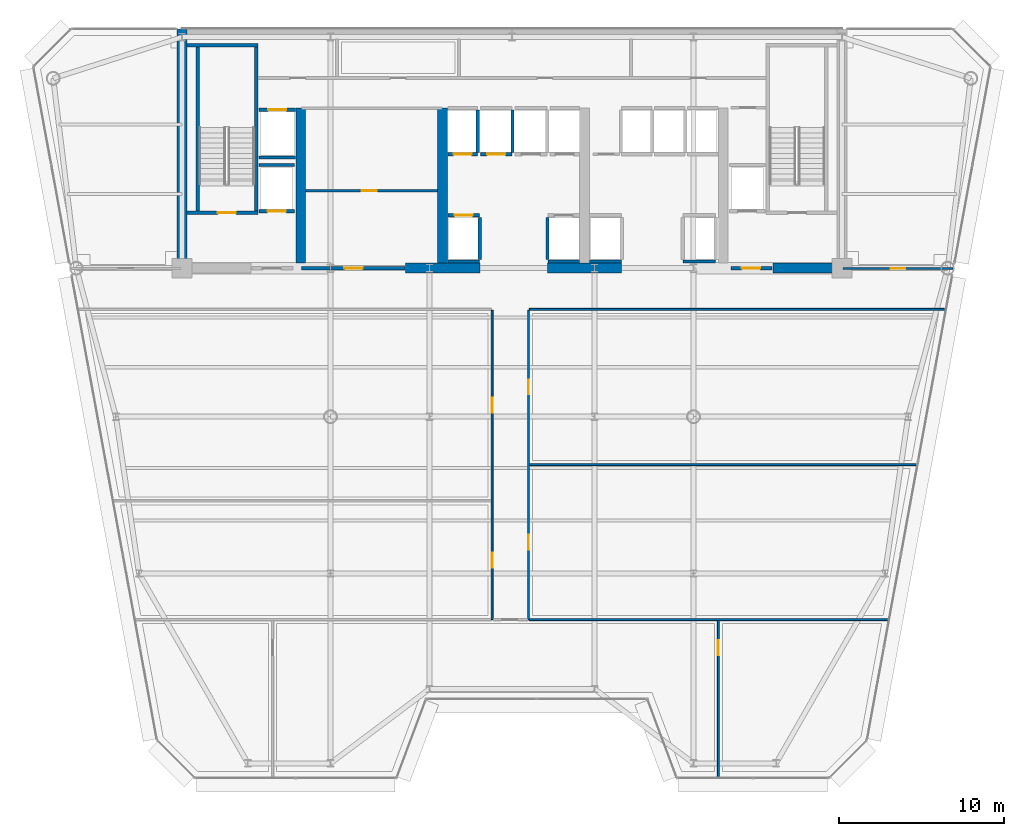
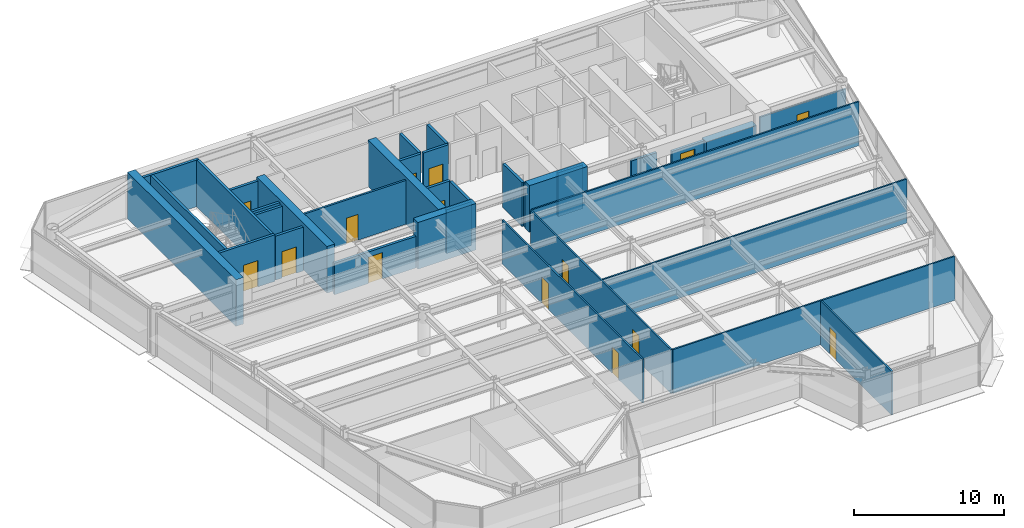
# One storey, part 10 of 16: 35 walls, 15 doors, 15 openings.
"""IFC4 building model written with IfcOpenShell, lengths in metres."""

import ifcopenshell
import ifcopenshell.guid

model = None  # the IFC model being written
_history = None  # IfcOwnerHistory: only IFC2X3 demands one
_inside = {}  # id of a spatial element -> (the spatial element, [elements in it])
_under = {}  # id of a project, library or spatial element -> (it, [spatial elements below it])
_declared = {}  # id of a project -> (the project, [libraries it declares])
_typed = {}  # id of a type object -> (the type object, [elements of that type])
_made_of = {}  # id of a material, layer set ... -> (it, [elements and type objects made of it])


def new_model(schema):
    """Start an empty IFC model of exactly this schema.

    Asked for "IFC4X3", IfcOpenShell would pick the latest addendum, in which some entities
    have other attributes; the version numbers below select the first issue.
    IFC2X3 requires an IfcOwnerHistory on every rooted entity: one is made here for all.
    """
    global model, _history
    if schema == "IFC4X3":
        model = ifcopenshell.file(schema_version=(4, 3, 0, 0))
    else:
        model = ifcopenshell.file(schema=schema)
    _inside.clear()
    _under.clear()
    _declared.clear()
    _typed.clear()
    _made_of.clear()
    _history = None
    if model.schema == "IFC2X3":
        org = make("IfcOrganization", Name="unknown")
        user = make(
            "IfcPersonAndOrganization",
            ThePerson=make("IfcPerson", FamilyName="unknown"),
            TheOrganization=org,
        )
        app = make(
            "IfcApplication",
            ApplicationDeveloper=org,
            Version="unknown",
            ApplicationFullName="unknown",
            ApplicationIdentifier="unknown",
        )
        _history = make(
            "IfcOwnerHistory",
            OwningUser=user,
            OwningApplication=app,
            ChangeAction="ADDED",
            CreationDate=0,
        )
    return model


def make(cls, **values):
    """One entity of the class cls with the attributes given. An attribute that is None is left unset."""
    return model.create_entity(
        cls, **{name: value for name, value in values.items() if value is not None}
    )


def rooted(cls, **values):
    """An entity with a GlobalId (a new one), such as an element, a storey or a relation."""
    return make(cls, GlobalId=ifcopenshell.guid.new(), OwnerHistory=_history, **values)


def si_unit(unit_type, name, prefix=None):
    """IfcSIUnit, for example si_unit("LENGTHUNIT", "METRE", prefix="MILLI")."""
    return make("IfcSIUnit", UnitType=unit_type, Prefix=prefix, Name=name)


def assignment(units):
    """IfcUnitAssignment: the units of a project."""
    return None if units is None else make("IfcUnitAssignment", Units=units)


def point(xyz):
    """IfcCartesianPoint."""
    return None if xyz is None else make("IfcCartesianPoint", Coordinates=xyz)


def direction(xyz):
    """IfcDirection."""
    return None if xyz is None else make("IfcDirection", DirectionRatios=xyz)


def frame(location, z_axis=None, x_axis=None):
    """IfcAxis2Placement3D, a coordinate frame: its origin and axes. An axis left out is left unset."""
    return make(
        "IfcAxis2Placement3D",
        Location=point(location),
        Axis=direction(z_axis),
        RefDirection=direction(x_axis),
    )


def frame_2d(location, x_axis=None):
    """IfcAxis2Placement2D, a coordinate frame in the plane: its origin and x axis."""
    return make(
        "IfcAxis2Placement2D", Location=point(location), RefDirection=direction(x_axis)
    )


def origin():
    """The frame at (0, 0, 0) with its axes left unset."""
    return frame((0.0, 0.0, 0.0))


def place(relative_to, where):
    """IfcLocalPlacement: puts the frame where relative to a parent placement (None: the world)."""
    return make(
        "IfcLocalPlacement", PlacementRelTo=relative_to, RelativePlacement=where
    )


def context(
    kind, dimensions, precision=None, world=None, true_north=None, identifier=None
):
    """IfcGeometricRepresentationContext, for example the 3D "Model" context."""
    return make(
        "IfcGeometricRepresentationContext",
        ContextIdentifier=identifier,
        ContextType=kind,
        CoordinateSpaceDimension=dimensions,
        Precision=precision,
        WorldCoordinateSystem=world,
        TrueNorth=true_north,
    )


def subcontext(parent, identifier, kind, view, scale=None):
    """IfcGeometricRepresentationSubContext, for example "Body" below "Model"."""
    return make(
        "IfcGeometricRepresentationSubContext",
        ContextIdentifier=identifier,
        ContextType=kind,
        ParentContext=parent,
        TargetScale=scale,
        TargetView=view,
    )


def project(units=None, contexts=None):
    """IfcProject with its units and contexts."""
    return rooted(
        "IfcProject",
        Name="project",
        RepresentationContexts=contexts,
        UnitsInContext=assignment(units),
    )


def spatial(cls, under=None, at=None, **own):
    """A site, building, storey or space (cls), placed at a placement, below another one or the project."""
    s = rooted(cls, ObjectPlacement=at, **own)
    if under is not None:
        _under.setdefault(under.id(), (under, []))[1].append(s)
    return s


def profile(cls, at=None, kind="AREA", **sizes):
    """A parametric profile (cls). Its sizes go by their IFC names, for example OverallWidth=200.0."""
    return make(cls, ProfileType=kind, Position=at, **sizes)


def rectangle(**sizes):
    """IfcRectangleProfileDef."""
    return profile("IfcRectangleProfileDef", **sizes)


def extrude(swept, where, along, depth):
    """IfcExtrudedAreaSolid: the profile swept, set in the frame where, extruded along a direction by depth."""
    return make(
        "IfcExtrudedAreaSolid",
        SweptArea=swept,
        Position=where,
        ExtrudedDirection=direction(along),
        Depth=depth,
    )


def shape(context_of_items, identifier, shape_type, items):
    """IfcShapeRepresentation: the items that make up one representation, for example the "Body"."""
    return make(
        "IfcShapeRepresentation",
        ContextOfItems=context_of_items,
        RepresentationIdentifier=identifier,
        RepresentationType=shape_type,
        Items=items,
    )


def source(mapping_origin, context_of_items, identifier, shape_type, items):
    """IfcRepresentationMap: a shape defined once, which mapped items show again and again."""
    return make(
        "IfcRepresentationMap",
        MappingOrigin=mapping_origin,
        MappedRepresentation=shape(context_of_items, identifier, shape_type, items),
    )


def transform(
    local_origin,
    x_axis=None,
    y_axis=None,
    z_axis=None,
    scale=None,
    scale2=None,
    scale3=None,
    uniform=True,
):
    """IfcCartesianTransformationOperator3D, or its non-uniform kind. x_axis, y_axis, z_axis: its Axis1, 2, 3."""
    if uniform:
        return make(
            "IfcCartesianTransformationOperator3D",
            Axis1=direction(x_axis),
            Axis2=direction(y_axis),
            LocalOrigin=point(local_origin),
            Scale=scale,
            Axis3=direction(z_axis),
        )
    return make(
        "IfcCartesianTransformationOperator3DnonUniform",
        Axis1=direction(x_axis),
        Axis2=direction(y_axis),
        LocalOrigin=point(local_origin),
        Scale=scale,
        Axis3=direction(z_axis),
        Scale2=scale2,
        Scale3=scale3,
    )


def mapped(mapping_source, mapping_target):
    """IfcMappedItem: shows the shape of a source again, moved by a transform."""
    return make(
        "IfcMappedItem", MappingSource=mapping_source, MappingTarget=mapping_target
    )


def material(Name=None, Category=None):
    """IfcMaterial."""
    return make("IfcMaterial", Name=Name, Category=Category)


def layer(
    of_material, thickness, ventilated=None, Name=None, Category=None, Priority=None
):
    """IfcMaterialLayer: one layer of a wall or slab, of a material (None: an air gap)."""
    return make(
        "IfcMaterialLayer",
        Material=of_material,
        LayerThickness=thickness,
        IsVentilated=ventilated,
        Name=Name,
        Category=Category,
        Priority=Priority,
    )


def layer_set(layers, Name=None):
    """IfcMaterialLayerSet."""
    return make("IfcMaterialLayerSet", MaterialLayers=layers, LayerSetName=Name)


def made_of(thing, what):
    """Note that an element or type object is made of a material, layer set ...; save() writes the relation."""
    if what is not None:
        _made_of.setdefault(what.id(), (what, []))[1].append(thing)
    return thing


def type_object(cls, material=None, **own):
    """A type object (cls), such as IfcWallType, which elements share."""
    return made_of(rooted(cls, **own), material)


def element(
    cls,
    number,
    at=None,
    inside=None,
    cuts=None,
    type_object=None,
    material=None,
    context=None,
    identifier="Body",
    shape_type=None,
    held_by="IfcProductDefinitionShape",
    body=None,
    shapes=None,
    **own,
):
    """One element of the class cls, such as IfcWall. Its Tag is "e" and its number.

    at: its placement. inside: the storey or other place that contains it. cuts: it is an
    opening in that element (IfcRelVoidsElement). A single representation is given by context,
    identifier, shape_type and body (its items); several are given by shapes. held_by: the class
    of the entity that holds the representations. save() writes the other relations.
    """
    e = rooted(cls, Tag="e%d" % number, ObjectPlacement=at, **own)
    if body is not None:
        shapes = [shape(context, identifier, shape_type, body)]
    if shapes is not None:
        e.Representation = make(held_by, Representations=shapes)
    if inside is not None:
        _inside.setdefault(inside.id(), (inside, []))[1].append(e)
    if cuts is not None:
        rooted(
            "IfcRelVoidsElement", RelatingBuildingElement=cuts, RelatedOpeningElement=e
        )
    if type_object is not None:
        _typed.setdefault(type_object.id(), (type_object, []))[1].append(e)
    return made_of(e, material)


def fill(opening, filler):
    """IfcRelFillsElement: the door or window that sits in an opening."""
    return rooted(
        "IfcRelFillsElement",
        RelatingOpeningElement=opening,
        RelatedBuildingElement=filler,
    )


def aggregate(whole, parts):
    """IfcRelAggregates: a whole, such as a stair, and the parts it consists of."""
    return rooted("IfcRelAggregates", RelatingObject=whole, RelatedObjects=parts)


def save(model, path):
    """Write the relations noted so far, then the file.

    IfcRelAggregates (storeys below a building ...), IfcRelContainedInSpatialStructure (elements
    in a storey), IfcRelDefinesByType, IfcRelAssociatesMaterial and IfcRelDeclares: one each for
    every whole, place, type object, material and project.
    """
    for whole, parts in _under.values():
        aggregate(whole, parts)
    for where, things in _inside.values():
        rooted(
            "IfcRelContainedInSpatialStructure",
            RelatedElements=things,
            RelatingStructure=where,
        )
    for kind, things in _typed.values():
        rooted("IfcRelDefinesByType", RelatedObjects=things, RelatingType=kind)
    for what, things in _made_of.values():
        rooted("IfcRelAssociatesMaterial", RelatedObjects=things, RelatingMaterial=what)
    for by, libraries in _declared.values():
        rooted("IfcRelDeclares", RelatingContext=by, RelatedDefinitions=libraries)
    model.write(path)


model = new_model("IFC4")

# Units and contexts
model_context = context("Model", 3, precision=1e-05, world=origin(), true_north=direction((0.0, 1.0)))
body_context = subcontext(model_context, "Body", "Model", "MODEL_VIEW")
ifc_project = project(units=[si_unit("LENGTHUNIT", "METRE"), si_unit("AREAUNIT", "SQUARE_METRE"), si_unit("VOLUMEUNIT", "CUBIC_METRE"), si_unit("PLANEANGLEUNIT", "RADIAN"), si_unit("MASSUNIT", "GRAM", prefix="KILO")], contexts=[model_context])

# Site, building, storey
site_placement = place(None, origin())
site = spatial("IfcSite", under=ifc_project, at=site_placement, CompositionType="ELEMENT")
building_placement = place(site_placement, origin())
building = spatial("IfcBuilding", under=site, at=building_placement, Name="Vaeldorn Concourse Tower", CompositionType="ELEMENT")
storey_placement = place(building_placement, frame((0.0, 0.0, 191.800048828125)))
storey = spatial("IfcBuildingStorey", under=building, at=storey_placement, Name="L49", CompositionType="ELEMENT", Elevation=191.800048828125)

# Walls
ifc_material_1 = material(Name="Concrete C50/60", Category="concrete")
ifc_layer_1 = layer(ifc_material_1, 0.60009765625)
ifc_layer_set_1 = layer_set([ifc_layer_1], Name="Concrete C50/60")
wall_type_1 = type_object("IfcWallType", Name="WL-CORE-600", PredefinedType="SHEAR", material=ifc_layer_set_1)
wall_1_placement = place(storey_placement, frame((14.0, 36.5, 0.0), z_axis=(0.0, 0.0, 1.0), x_axis=(0.0, 1.0, 0.0)))
element("IfcWall", 1, at=wall_1_placement, inside=storey, type_object=wall_type_1, Name="Rear Core Shear Wall L49 W1", PredefinedType="SHEAR", context=body_context, shape_type="SweptSolid", body=[
    extrude(rectangle(XDim=14.5, YDim=0.60009765625, at=frame_2d((7.25, 0.0))), origin(), (0.0, 0.0, 1.0), 3.800048828125),
])
for number, where, z_axis, x_axis, name in (
    (2, (27.550048828125, 36.5, 0.0), (0.0, 0.0, 1.0), (1.0, 0.0, 0.0), "Rear Core Shear Wall L49 S2"),
    (3, (36.14990234375, 36.5, 0.0), (0.0, 0.0, 1.0), (1.0, 0.0, 0.0), "Rear Core Shear Wall L49 S3"),
):
    element("IfcWall", number, at=place(storey_placement, frame(where, z_axis=z_axis, x_axis=x_axis)), inside=storey, type_object=wall_type_1, Name=name, PredefinedType="SHEAR", context=body_context, shape_type="SweptSolid", body=[
        extrude(rectangle(XDim=4.5, YDim=0.60009765625, at=frame_2d((2.25, 0.0))), origin(), (0.0, 0.0, 1.0), 3.800048828125),
    ])
wall_2_placement = place(storey_placement, frame((49.800048828125, 36.5, 0.0), z_axis=(0.0, 0.0, 1.0), x_axis=(1.0, 0.0, 0.0)))
element("IfcWall", 4, at=wall_2_placement, inside=storey, type_object=wall_type_1, Name="Rear Core Shear Wall L49 S4", PredefinedType="SHEAR", context=body_context, shape_type="SweptSolid", body=[
    extrude(rectangle(XDim=3.8798828125, YDim=0.60009765625, at=frame_2d((1.93994140625, 0.0))), origin(), (0.0, 0.0, 1.0), 2.579833984375),
])
for number, where, z_axis, x_axis, name in (
    (5, (21.199951171875, 36.820068359375, 0.0), (0.0, 0.0, 1.0), (0.0, 1.0, 0.0), "Rear Core Shear Wall L49 M1"),
    (6, (29.800048828125, 36.820068359375, 0.0), (0.0, 0.0, 1.0), (0.0, 1.0, 0.0), "Rear Core Shear Wall L49 M2"),
):
    element("IfcWall", number, at=place(storey_placement, frame(where, z_axis=z_axis, x_axis=x_axis)), inside=storey, type_object=wall_type_1, Name=name, PredefinedType="SHEAR", context=body_context, shape_type="SweptSolid", body=[
        extrude(rectangle(XDim=9.3798828125, YDim=0.60009765625, at=frame_2d((4.68994140625, 0.0))), origin(), (0.0, 0.0, 1.0), 3.800048828125),
    ])
ifc_material_2 = material(Name="Gypsum Board Partition", Category="gypsum")
ifc_layer_2 = layer(ifc_material_2, 0.1201171875)
ifc_layer_set_2 = layer_set([ifc_layer_2], Name="Gypsum Board Partition")
wall_type_2 = type_object("IfcWallType", Name="WL-PART-120", PredefinedType="PARTITIONING", material=ifc_layer_set_2)
wall_3_placement = place(storey_placement, frame((35.06005859375, 34.0, 0.0), z_axis=(0.0, 0.0, 1.0), x_axis=(1.0, 0.0, 0.0)))
element("IfcWall", 7, at=wall_3_placement, inside=storey, type_object=wall_type_2, Name="Interior Wall PW-L49-C2SE", PredefinedType="PARTITIONING", context=body_context, shape_type="SweptSolid", body=[
    extrude(rectangle(XDim=25.200927734375, YDim=0.1201171875, at=frame_2d((12.6005859375, 0.0))), origin(), (0.0, 0.0, 1.0), 3.579833984375),
])

# Wall, openings, doors
wall_4_placement = place(storey_placement, frame((32.800048828125, 15.199951171875, 0.0), z_axis=(0.0, 0.0, 1.0), x_axis=(0.0, 1.0, 0.0)))
wall_4 = element("IfcWall", 8, at=wall_4_placement, inside=storey, type_object=wall_type_2, Name="Interior Wall PW-L49-SP2W", PredefinedType="PARTITIONING", context=body_context, shape_type="SweptSolid", body=[
    extrude(rectangle(XDim=18.739990234375, YDim=0.1201171875, at=frame_2d((9.3701171875, 0.0))), origin(), (0.0, 0.0, 1.0), 3.579833984375),
])
opening_1_placement = place(wall_4_placement, frame((3.14990234375, 0.0, 0.0)))
opening_1 = element("IfcOpeningElement", 9, at=opening_1_placement, cuts=wall_4, Name="Opening D-03", PredefinedType="OPENING", context=body_context, shape_type="SweptSolid", body=[
    extrude(rectangle(XDim=0.89990234375, YDim=2.14990234375, at=frame_2d((0.449951171875, 1.074951171875))), frame((0.0, 0.070068359375, 0.0), z_axis=(0.0, -1.0, 0.0), x_axis=(1.0, 0.0, 0.0)), (0.0, 0.0, 1.0), 0.14013671875),
])
opening_2_placement = place(wall_4_placement, frame((12.550048828125, 0.0, 0.0)))
opening_2 = element("IfcOpeningElement", 10, at=opening_2_placement, cuts=wall_4, Name="Opening D-03", PredefinedType="OPENING", context=body_context, shape_type="SweptSolid", body=[
    extrude(rectangle(XDim=0.89990234375, YDim=2.14990234375, at=frame_2d((0.449951171875, 1.074951171875))), frame((0.0, 0.070068359375, 0.0), z_axis=(0.0, -1.0, 0.0), x_axis=(1.0, 0.0, 0.0)), (0.0, 0.0, 1.0), 0.14013671875),
])
ifc_material_3 = material(Name="Acoustic Bronze-Framed Glass Door", Category="glass")
door_type_1 = type_object("IfcDoorType", Name="DR-INT-900", OperationType="NOTDEFINED", PredefinedType="DOOR", material=ifc_material_3)
shared_shape_1 = source(origin(), body_context, "Body", "SweptSolid", [
    extrude(rectangle(XDim=0.89990234375, YDim=2.14990234375, at=frame_2d((0.449951171875, 1.074951171875))), frame((0.0, 0.02490234375, 0.0), z_axis=(0.0, -1.0, 0.0), x_axis=(1.0, 0.0, 0.0)), (0.0, 0.0, 1.0), 0.050048828125),
])
door_1_placement = place(opening_1_placement, origin())
door_1 = element("IfcDoor", 11, at=door_1_placement, inside=storey, type_object=door_type_1, Name="Interior Door DR-L49-Z2W1", OperationType="SINGLE_SWING_LEFT", OverallHeight=2.14990234375, OverallWidth=0.89990234375, PredefinedType="DOOR", context=body_context, shape_type="MappedRepresentation", body=[
    mapped(shared_shape_1, transform((0.0, 0.0, 0.0), scale=1.0)),
])
fill(opening_1, door_1)
door_2_placement = place(opening_2_placement, origin())
door_2 = element("IfcDoor", 12, at=door_2_placement, inside=storey, type_object=door_type_1, Name="Interior Door DR-L49-Z2W2", OperationType="SINGLE_SWING_RIGHT", OverallHeight=2.14990234375, OverallWidth=0.89990234375, PredefinedType="DOOR", context=body_context, shape_type="MappedRepresentation", body=[
    mapped(shared_shape_1, transform((0.0, 0.0, 0.0), scale=1.0)),
])
fill(opening_2, door_2)

wall_5_placement = place(storey_placement, frame((35.0, 15.199951171875, 0.0), z_axis=(0.0, 0.0, 1.0), x_axis=(0.0, 1.0, 0.0)))
wall_5 = element("IfcWall", 13, at=wall_5_placement, inside=storey, type_object=wall_type_2, Name="Interior Wall PW-L49-SP2E", PredefinedType="PARTITIONING", context=body_context, shape_type="SweptSolid", body=[
    extrude(rectangle(XDim=18.739990234375, YDim=0.1201171875, at=frame_2d((9.3701171875, 0.0))), origin(), (0.0, 0.0, 1.0), 3.579833984375),
])
opening_3_placement = place(wall_5_placement, frame((4.25, 0.0, 0.0)))
opening_3 = element("IfcOpeningElement", 14, at=opening_3_placement, cuts=wall_5, Name="Opening D-03", PredefinedType="OPENING", context=body_context, shape_type="SweptSolid", body=[
    extrude(rectangle(XDim=0.89990234375, YDim=2.14990234375, at=frame_2d((0.449951171875, 1.074951171875))), frame((0.0, 0.070068359375, 0.0), z_axis=(0.0, -1.0, 0.0), x_axis=(1.0, 0.0, 0.0)), (0.0, 0.0, 1.0), 0.14013671875),
])
opening_4_placement = place(wall_5_placement, frame((13.64990234375, 0.0, 0.0)))
opening_4 = element("IfcOpeningElement", 15, at=opening_4_placement, cuts=wall_5, Name="Opening D-03", PredefinedType="OPENING", context=body_context, shape_type="SweptSolid", body=[
    extrude(rectangle(XDim=0.89990234375, YDim=2.14990234375, at=frame_2d((0.449951171875, 1.074951171875))), frame((0.0, 0.070068359375, 0.0), z_axis=(0.0, -1.0, 0.0), x_axis=(1.0, 0.0, 0.0)), (0.0, 0.0, 1.0), 0.14013671875),
])
door_3_placement = place(opening_3_placement, origin())
door_3 = element("IfcDoor", 16, at=door_3_placement, inside=storey, type_object=door_type_1, Name="Interior Door DR-L49-Z2E1", OperationType="SINGLE_SWING_RIGHT", OverallHeight=2.14990234375, OverallWidth=0.89990234375, PredefinedType="DOOR", context=body_context, shape_type="MappedRepresentation", body=[
    mapped(shared_shape_1, transform((0.0, 0.0, 0.0), scale=1.0)),
])
fill(opening_3, door_3)
door_4_placement = place(opening_4_placement, origin())
door_4 = element("IfcDoor", 17, at=door_4_placement, inside=storey, type_object=door_type_1, Name="Interior Door DR-L49-Z2E2", OperationType="SINGLE_SWING_LEFT", OverallHeight=2.14990234375, OverallWidth=0.89990234375, PredefinedType="DOOR", context=body_context, shape_type="MappedRepresentation", body=[
    mapped(shared_shape_1, transform((0.0, 0.0, 0.0), scale=1.0)),
])
fill(opening_4, door_4)

# Wall, opening, door
wall_6_placement = place(storey_placement, frame((54.06005859375, 36.47998046875, 0.0), z_axis=(0.0, 0.0, 1.0), x_axis=(1.0, 0.0, 0.0)))
wall_6 = element("IfcWall", 18, at=wall_6_placement, inside=storey, type_object=wall_type_2, Name="Interior Wall PW-L49-NES", PredefinedType="PARTITIONING", context=body_context, shape_type="SweptSolid", body=[
    extrude(rectangle(XDim=6.65087890625, YDim=0.1201171875, at=frame_2d((3.325439453125, 0.0))), origin(), (0.0, 0.0, 1.0), 2.969970703125),
])
opening_5_placement = place(wall_6_placement, frame((2.875, 0.0, 0.0)))
opening_5 = element("IfcOpeningElement", 19, at=opening_5_placement, cuts=wall_6, Name="Opening D-03", PredefinedType="OPENING", context=body_context, shape_type="SweptSolid", body=[
    extrude(rectangle(XDim=0.89990234375, YDim=2.14990234375, at=frame_2d((0.449951171875, 1.074951171875))), frame((0.0, 0.070068359375, 0.0), z_axis=(0.0, -1.0, 0.0), x_axis=(1.0, 0.0, 0.0)), (0.0, 0.0, 1.0), 0.14013671875),
])
door_5_placement = place(opening_5_placement, origin())
door_5 = element("IfcDoor", 20, at=door_5_placement, inside=storey, type_object=door_type_1, Name="Interior Door DR-L49-NEC", OperationType="SINGLE_SWING_RIGHT", OverallHeight=2.14990234375, OverallWidth=0.89990234375, PredefinedType="DOOR", context=body_context, shape_type="MappedRepresentation", body=[
    mapped(shared_shape_1, transform((0.0, 0.0, 0.0), scale=1.0)),
])
fill(opening_5, door_5)

# Wall
wall_7_placement = place(storey_placement, frame((35.06005859375, 15.199951171875, 0.0), z_axis=(0.0, 0.0, 1.0), x_axis=(1.0, 0.0, 0.0)))
element("IfcWall", 21, at=wall_7_placement, inside=storey, type_object=wall_type_2, Name="Interior Wall PW-L49-S2EL", PredefinedType="PARTITIONING", context=body_context, shape_type="SweptSolid", body=[
    extrude(rectangle(XDim=21.749267578125, YDim=0.1201171875, at=frame_2d((10.87451171875, 0.0))), origin(), (0.0, 0.0, 1.0), 3.579833984375),
])

# Wall, opening, door
wall_8_placement = place(storey_placement, frame((46.5, 5.639892578125, 0.0), z_axis=(0.0, 0.0, 1.0), x_axis=(0.0, 1.0, 0.0)))
wall_8 = element("IfcWall", 22, at=wall_8_placement, inside=storey, type_object=wall_type_2, Name="Interior Wall PW-L49-Z2SFX2", PredefinedType="PARTITIONING", context=body_context, shape_type="SweptSolid", body=[
    extrude(rectangle(XDim=9.5, YDim=0.1201171875, at=frame_2d((4.75, 0.0))), origin(), (0.0, 0.0, 1.0), 3.579833984375),
])
opening_6_placement = place(wall_8_placement, frame((7.39990234375, 0.0, 0.0)))
opening_6 = element("IfcOpeningElement", 23, at=opening_6_placement, cuts=wall_8, Name="Opening D-03", PredefinedType="OPENING", context=body_context, shape_type="SweptSolid", body=[
    extrude(rectangle(XDim=0.89990234375, YDim=2.14990234375, at=frame_2d((0.449951171875, 1.074951171875))), frame((0.0, 0.070068359375, 0.0), z_axis=(0.0, -1.0, 0.0), x_axis=(1.0, 0.0, 0.0)), (0.0, 0.0, 1.0), 0.14013671875),
])
door_6_placement = place(opening_6_placement, origin())
door_6 = element("IfcDoor", 24, at=door_6_placement, inside=storey, type_object=door_type_1, Name="Interior Door DR-L49-Z2SFX2", OperationType="SINGLE_SWING_LEFT", OverallHeight=2.14990234375, OverallWidth=0.89990234375, PredefinedType="DOOR", context=body_context, shape_type="MappedRepresentation", body=[
    mapped(shared_shape_1, transform((0.0, 0.0, 0.0), scale=1.0)),
])
fill(opening_6, door_6)

# Wall
wall_9_placement = place(storey_placement, frame((35.06005859375, 24.60009765625, 0.0), z_axis=(0.0, 0.0, 1.0), x_axis=(1.0, 0.0, 0.0)))
element("IfcWall", 25, at=wall_9_placement, inside=storey, type_object=wall_type_2, Name="Interior Wall PW-L49-Z2EY1", PredefinedType="PARTITIONING", context=body_context, shape_type="SweptSolid", body=[
    extrude(rectangle(XDim=23.47509765625, YDim=0.1201171875, at=frame_2d((11.737548828125, 0.0))), origin(), (0.0, 0.0, 1.0), 3.579833984375),
])

# Wall, opening, door
ifc_layer_3 = layer(ifc_material_2, 0.14990234375)
ifc_layer_set_3 = layer_set([ifc_layer_3], Name="Gypsum Board Partition")
wall_type_3 = type_object("IfcWallType", Name="WL-PART-150", PredefinedType="PARTITIONING", material=ifc_layer_set_3)
wall_10_placement = place(storey_placement, frame((21.5, 41.199951171875, 0.0), z_axis=(0.0, 0.0, 1.0), x_axis=(1.0, 0.0, 0.0)))
wall_10 = element("IfcWall", 26, at=wall_10_placement, inside=storey, type_object=wall_type_3, Name="Interior Wall CW-L49-R1M", PredefinedType="PARTITIONING", context=body_context, shape_type="SweptSolid", body=[
    extrude(rectangle(XDim=8.0, YDim=0.14990234375, at=frame_2d((4.0, 0.0))), origin(), (0.0, 0.0, 1.0), 3.579833984375),
])
opening_7_placement = place(wall_10_placement, frame((3.39990234375, 0.0, 0.0)))
opening_7 = element("IfcOpeningElement", 27, at=opening_7_placement, cuts=wall_10, Name="Opening D-02", PredefinedType="OPENING", context=body_context, shape_type="SweptSolid", body=[
    extrude(rectangle(XDim=0.89990234375, YDim=2.10009765625, at=frame_2d((0.449951171875, 1.050048828125))), frame((0.0, 0.0849609375, 0.0), z_axis=(0.0, -1.0, 0.0), x_axis=(1.0, 0.0, 0.0)), (0.0, 0.0, 1.0), 0.169921875),
])
ifc_material_4 = material(Name="Fire-Rated Timber Leaf", Category="wood")
door_type_2 = type_object("IfcDoorType", Name="DR-FD30-900", OperationType="NOTDEFINED", PredefinedType="DOOR", material=ifc_material_4)
shared_shape_2 = source(origin(), body_context, "Body", "SweptSolid", [
    extrude(rectangle(XDim=0.89990234375, YDim=2.10009765625, at=frame_2d((0.449951171875, 1.050048828125))), frame((0.0, 0.02490234375, 0.0), z_axis=(0.0, -1.0, 0.0), x_axis=(1.0, 0.0, 0.0)), (0.0, 0.0, 1.0), 0.050048828125),
])
door_7_placement = place(opening_7_placement, origin())
door_7 = element("IfcDoor", 28, at=door_7_placement, inside=storey, type_object=door_type_2, Name="Interior Door DR-L49-R1M", OperationType="SINGLE_SWING_RIGHT", OverallHeight=2.10009765625, OverallWidth=0.89990234375, PredefinedType="DOOR", context=body_context, shape_type="MappedRepresentation", body=[
    mapped(shared_shape_2, transform((0.0, 0.0, 0.0), scale=1.0)),
])
fill(opening_7, door_7)

ifc_layer_4 = layer(ifc_material_1, 0.199951171875)
ifc_layer_set_4 = layer_set([ifc_layer_4], Name="Concrete C50/60")
wall_type_4 = type_object("IfcWallType", Name="WL-SHAFT-200", PredefinedType="SOLIDWALL", material=ifc_layer_set_4)
wall_11_placement = place(storey_placement, frame((14.300048828125, 39.85009765625, 0.0), z_axis=(0.0, 0.0, 1.0), x_axis=(1.0, 0.0, 0.0)))
wall_11 = element("IfcWall", 29, at=wall_11_placement, inside=storey, type_object=wall_type_4, Name="Stair Shaft Wall CW-L49-ST-1-S", PredefinedType="SOLIDWALL", context=body_context, shape_type="SweptSolid", body=[
    extrude(rectangle(XDim=4.300048828125, YDim=0.199951171875, at=frame_2d((2.14990234375, 0.0))), origin(), (0.0, 0.0, 1.0), 3.800048828125),
])
opening_8_placement = place(wall_11_placement, frame((1.875, 0.0, 0.0)))
opening_8 = element("IfcOpeningElement", 30, at=opening_8_placement, cuts=wall_11, Name="Opening D-01", PredefinedType="OPENING", context=body_context, shape_type="SweptSolid", body=[
    extrude(rectangle(XDim=1.10009765625, YDim=2.14990234375, at=frame_2d((0.550048828125, 1.074951171875))), frame((0.0, 0.10986328125, 0.0), z_axis=(0.0, -1.0, 0.0), x_axis=(1.0, 0.0, 0.0)), (0.0, 0.0, 1.0), 0.219970703125),
])
ifc_material_5 = material(Name="Fire-Rated Timber and Steel Leaf", Category="steel")
door_type_3 = type_object("IfcDoorType", Name="DR-FD60-1100", OperationType="NOTDEFINED", PredefinedType="DOOR", material=ifc_material_5)
shared_shape_3 = source(origin(), body_context, "Body", "SweptSolid", [
    extrude(rectangle(XDim=1.10009765625, YDim=2.14990234375, at=frame_2d((0.550048828125, 1.074951171875))), frame((0.0, 0.02490234375, 0.0), z_axis=(0.0, -1.0, 0.0), x_axis=(1.0, 0.0, 0.0)), (0.0, 0.0, 1.0), 0.050048828125),
])
door_8_placement = place(opening_8_placement, origin())
door_8 = element("IfcDoor", 31, at=door_8_placement, inside=storey, type_object=door_type_3, Name="Interior Door DR-L49-ST-1", OperationType="SINGLE_SWING_LEFT", OverallHeight=2.14990234375, OverallWidth=1.10009765625, PredefinedType="DOOR", context=body_context, shape_type="MappedRepresentation", body=[
    mapped(shared_shape_3, transform((0.0, 0.0, 0.0), scale=1.0)),
])
fill(opening_8, door_8)

# Walls
wall_12_placement = place(storey_placement, frame((14.300048828125, 50.0, 0.0), z_axis=(0.0, 0.0, 1.0), x_axis=(1.0, 0.0, 0.0)))
element("IfcWall", 32, at=wall_12_placement, inside=storey, type_object=wall_type_4, Name="Stair Shaft Wall CW-L49-ST-1-N", PredefinedType="SOLIDWALL", context=body_context, shape_type="SweptSolid", body=[
    extrude(rectangle(XDim=4.300048828125, YDim=0.199951171875, at=frame_2d((2.14990234375, 0.0))), origin(), (0.0, 0.0, 1.0), 3.800048828125),
])
for number, where, z_axis, x_axis, name in (
    (33, (14.949951171875, 39.9599609375, 0.0), (0.0, 0.0, 1.0), (0.0, 1.0, 0.0), "Stair Shaft Wall CW-L49-ST-1-W"),
    (34, (18.5, 39.9599609375, 0.0), (0.0, 0.0, 1.0), (0.0, 1.0, 0.0), "Stair Shaft Wall CW-L49-ST-1-E"),
):
    element("IfcWall", number, at=place(storey_placement, frame(where, z_axis=z_axis, x_axis=x_axis)), inside=storey, type_object=wall_type_4, Name=name, PredefinedType="SOLIDWALL", context=body_context, shape_type="SweptSolid", body=[
        extrude(rectangle(XDim=9.929931640625, YDim=0.199951171875, at=frame_2d((4.96484375, 0.0))), origin(), (0.0, 0.0, 1.0), 3.800048828125),
    ])

# Wall, opening, door
wall_13_placement = place(storey_placement, frame((47.280029296875, 36.5, 0.0), z_axis=(0.0, 0.0, 1.0), x_axis=(1.0, 0.0, 0.0)))
wall_13 = element("IfcWall", 35, at=wall_13_placement, inside=storey, type_object=wall_type_4, Name="Interior Wall CW-L49-FF2S", PredefinedType="SOLIDWALL", context=body_context, shape_type="SweptSolid", body=[
    extrude(rectangle(XDim=2.469970703125, YDim=0.199951171875, at=frame_2d((1.23486328125, 0.0))), origin(), (0.0, 0.0, 1.0), 2.570068359375),
])
opening_9_placement = place(wall_13_placement, frame((0.64990234375, 0.0, 0.0)))
opening_9 = element("IfcOpeningElement", 36, at=opening_9_placement, cuts=wall_13, Name="Opening D-01", PredefinedType="OPENING", context=body_context, shape_type="SweptSolid", body=[
    extrude(rectangle(XDim=1.10009765625, YDim=2.14990234375, at=frame_2d((0.550048828125, 1.074951171875))), frame((0.0, 0.10986328125, 0.0), z_axis=(0.0, -1.0, 0.0), x_axis=(1.0, 0.0, 0.0)), (0.0, 0.0, 1.0), 0.219970703125),
])
door_9_placement = place(opening_9_placement, origin())
door_9 = element("IfcDoor", 37, at=door_9_placement, inside=storey, type_object=door_type_3, Name="Interior Door DR-L49-FF2W", OperationType="SINGLE_SWING_LEFT", OverallHeight=2.14990234375, OverallWidth=1.10009765625, PredefinedType="DOOR", context=body_context, shape_type="MappedRepresentation", body=[
    mapped(shared_shape_3, transform((0.0, 0.0, 0.0), scale=1.0)),
])
fill(opening_9, door_9)

wall_14_placement = place(storey_placement, frame((30.110107421875, 39.699951171875, 0.0), z_axis=(0.0, 0.0, 1.0), x_axis=(1.0, 0.0, 0.0)))
wall_14 = element("IfcWall", 38, at=wall_14_placement, inside=storey, type_object=wall_type_4, Name="Interior Wall CW-L49-LF-LF-07", PredefinedType="SOLIDWALL", context=body_context, shape_type="SweptSolid", body=[
    extrude(rectangle(XDim=1.919921875, YDim=0.199951171875, at=frame_2d((0.9599609375, 0.0))), origin(), (0.0, 0.0, 1.0), 3.579833984375),
])
opening_10_placement = place(wall_14_placement, frame((0.409912109375, 0.0, 0.0)))
opening_10 = element("IfcOpeningElement", 39, at=opening_10_placement, cuts=wall_14, Name="Opening LD-1", PredefinedType="OPENING", context=body_context, shape_type="SweptSolid", body=[
    extrude(rectangle(XDim=1.10009765625, YDim=2.14990234375, at=frame_2d((0.550048828125, 1.074951171875))), frame((0.0, 0.10986328125, 0.0), z_axis=(0.0, -1.0, 0.0), x_axis=(1.0, 0.0, 0.0)), (0.0, 0.0, 1.0), 0.219970703125),
])
ifc_material_6 = material(Name="Anodised Bronze Aluminium", Category="aluminium")
door_type_4 = type_object("IfcDoorType", Name="DR-LIFT-SLIDE-1100", OperationType="DOUBLE_DOOR_SLIDING", PredefinedType="DOOR", material=ifc_material_6)
door_10_placement = place(opening_10_placement, origin())
door_10 = element("IfcDoor", 40, at=door_10_placement, inside=storey, type_object=door_type_4, Name="Lift Landing Door LD-L49-LF-07", OperationType="DOUBLE_DOOR_SLIDING", OverallHeight=2.14990234375, OverallWidth=1.10009765625, PredefinedType="DOOR", context=body_context, shape_type="MappedRepresentation", body=[
    mapped(shared_shape_3, transform((0.0, 0.0, 0.0), scale=1.0)),
])
fill(opening_10, door_10)

# Walls
wall_15_placement = place(storey_placement, frame((30.110107421875, 36.89990234375, 0.0), z_axis=(0.0, 0.0, 1.0), x_axis=(1.0, 0.0, 0.0)))
element("IfcWall", 41, at=wall_15_placement, inside=storey, type_object=wall_type_4, Name="Interior Wall CW-L49-LFB-LF-07", PredefinedType="SOLIDWALL", context=body_context, shape_type="SweptSolid", body=[
    extrude(rectangle(XDim=1.919921875, YDim=0.199951171875, at=frame_2d((0.9599609375, 0.0))), origin(), (0.0, 0.0, 1.0), 3.579833984375),
])
wall_16_placement = place(storey_placement, frame((32.050048828125, 37.02001953125, 0.0), z_axis=(0.0, 0.0, 1.0), x_axis=(0.0, 1.0, 0.0)))
element("IfcWall", 42, at=wall_16_placement, inside=storey, type_object=wall_type_4, Name="Interior Wall CW-L49-LFE-LF-07", PredefinedType="SOLIDWALL", context=body_context, shape_type="SweptSolid", body=[
    extrude(rectangle(XDim=2.56005859375, YDim=0.199951171875, at=frame_2d((1.280029296875, 0.0))), origin(), (0.0, 0.0, 1.0), 3.579833984375),
])
wall_17_placement = place(storey_placement, frame((36.169921875, 36.89990234375, 0.0), z_axis=(0.0, 0.0, 1.0), x_axis=(1.0, 0.0, 0.0)))
element("IfcWall", 43, at=wall_17_placement, inside=storey, type_object=wall_type_4, Name="Interior Wall CW-L49-LFB-LF-08", PredefinedType="SOLIDWALL", context=body_context, shape_type="SweptSolid", body=[
    extrude(rectangle(XDim=1.920166015625, YDim=0.199951171875, at=frame_2d((0.9599609375, 0.0))), origin(), (0.0, 0.0, 1.0), 3.579833984375),
])
wall_18_placement = place(storey_placement, frame((36.14990234375, 37.02001953125, 0.0), z_axis=(0.0, 0.0, 1.0), x_axis=(0.0, 1.0, 0.0)))
element("IfcWall", 44, at=wall_18_placement, inside=storey, type_object=wall_type_4, Name="Interior Wall CW-L49-LFW-LF-08", PredefinedType="SOLIDWALL", context=body_context, shape_type="SweptSolid", body=[
    extrude(rectangle(XDim=2.56005859375, YDim=0.199951171875, at=frame_2d((1.280029296875, 0.0))), origin(), (0.0, 0.0, 1.0), 3.579833984375),
])

# Wall, opening, door
wall_19_placement = place(storey_placement, frame((30.110107421875, 43.39990234375, 0.0), z_axis=(0.0, 0.0, 1.0), x_axis=(1.0, 0.0, 0.0)))
wall_19 = element("IfcWall", 45, at=wall_19_placement, inside=storey, type_object=wall_type_4, Name="Interior Wall CW-L49-LF-LF-09", PredefinedType="SOLIDWALL", context=body_context, shape_type="SweptSolid", body=[
    extrude(rectangle(XDim=1.7998046875, YDim=0.199951171875, at=frame_2d((0.89990234375, 0.0))), origin(), (0.0, 0.0, 1.0), 3.579833984375),
])
opening_11_placement = place(wall_19_placement, frame((0.35009765625, 0.0, 0.0)))
opening_11 = element("IfcOpeningElement", 46, at=opening_11_placement, cuts=wall_19, Name="Opening LD-1", PredefinedType="OPENING", context=body_context, shape_type="SweptSolid", body=[
    extrude(rectangle(XDim=1.10009765625, YDim=2.14990234375, at=frame_2d((0.550048828125, 1.074951171875))), frame((0.0, 0.10986328125, 0.0), z_axis=(0.0, -1.0, 0.0), x_axis=(1.0, 0.0, 0.0)), (0.0, 0.0, 1.0), 0.219970703125),
])
door_11_placement = place(opening_11_placement, origin())
door_11 = element("IfcDoor", 47, at=door_11_placement, inside=storey, type_object=door_type_4, Name="Lift Landing Door LD-L49-LF-09", OperationType="DOUBLE_DOOR_SLIDING", OverallHeight=2.14990234375, OverallWidth=1.10009765625, PredefinedType="DOOR", context=body_context, shape_type="MappedRepresentation", body=[
    mapped(shared_shape_3, transform((0.0, 0.0, 0.0), scale=1.0)),
])
fill(opening_11, door_11)

# Wall
wall_20_placement = place(storey_placement, frame((31.929931640625, 43.52001953125, 0.0), z_axis=(0.0, 0.0, 1.0), x_axis=(0.0, 1.0, 0.0)))
element("IfcWall", 48, at=wall_20_placement, inside=storey, type_object=wall_type_4, Name="Interior Wall CW-L49-LFE-LF-09", PredefinedType="SOLIDWALL", context=body_context, shape_type="SweptSolid", body=[
    extrude(rectangle(XDim=2.56005859375, YDim=0.199951171875, at=frame_2d((1.280029296875, 0.0))), origin(), (0.0, 0.0, 1.0), 3.579833984375),
])

# Wall, opening, door
wall_21_placement = place(storey_placement, frame((32.090087890625, 43.39990234375, 0.0), z_axis=(0.0, 0.0, 1.0), x_axis=(1.0, 0.0, 0.0)))
wall_21 = element("IfcWall", 49, at=wall_21_placement, inside=storey, type_object=wall_type_4, Name="Interior Wall CW-L49-LF-LF-10", PredefinedType="SOLIDWALL", context=body_context, shape_type="SweptSolid", body=[
    extrude(rectangle(XDim=1.919921875, YDim=0.199951171875, at=frame_2d((0.9599609375, 0.0))), origin(), (0.0, 0.0, 1.0), 3.579833984375),
])
opening_12_placement = place(wall_21_placement, frame((0.409912109375, 0.0, 0.0)))
opening_12 = element("IfcOpeningElement", 50, at=opening_12_placement, cuts=wall_21, Name="Opening LD-1", PredefinedType="OPENING", context=body_context, shape_type="SweptSolid", body=[
    extrude(rectangle(XDim=1.10009765625, YDim=2.14990234375, at=frame_2d((0.550048828125, 1.074951171875))), frame((0.0, 0.10986328125, 0.0), z_axis=(0.0, -1.0, 0.0), x_axis=(1.0, 0.0, 0.0)), (0.0, 0.0, 1.0), 0.219970703125),
])
door_12_placement = place(opening_12_placement, origin())
door_12 = element("IfcDoor", 51, at=door_12_placement, inside=storey, type_object=door_type_4, Name="Lift Landing Door LD-L49-LF-10", OperationType="DOUBLE_DOOR_SLIDING", OverallHeight=2.14990234375, OverallWidth=1.10009765625, PredefinedType="DOOR", context=body_context, shape_type="MappedRepresentation", body=[
    mapped(shared_shape_3, transform((0.0, 0.0, 0.0), scale=1.0)),
])
fill(opening_12, door_12)

# Walls
wall_22_placement = place(storey_placement, frame((34.030029296875, 43.52001953125, 0.0), z_axis=(0.0, 0.0, 1.0), x_axis=(0.0, 1.0, 0.0)))
element("IfcWall", 52, at=wall_22_placement, inside=storey, type_object=wall_type_4, Name="Interior Wall CW-L49-LFE-LF-10", PredefinedType="SOLIDWALL", context=body_context, shape_type="SweptSolid", body=[
    extrude(rectangle(XDim=2.56005859375, YDim=0.199951171875, at=frame_2d((1.280029296875, 0.0))), origin(), (0.0, 0.0, 1.0), 3.579833984375),
])
wall_23_placement = place(storey_placement, frame((38.7099609375, 36.89990234375, 0.0), z_axis=(0.0, 0.0, 1.0), x_axis=(1.0, 0.0, 0.0)))
element("IfcWall", 53, at=wall_23_placement, inside=storey, type_object=wall_type_4, Name="Interior Wall CW-L49-LFB-LF-13", PredefinedType="SOLIDWALL", context=body_context, shape_type="SweptSolid", body=[
    extrude(rectangle(XDim=1.919921875, YDim=0.199951171875, at=frame_2d((0.9599609375, 0.0))), origin(), (0.0, 0.0, 1.0), 3.579833984375),
])
wall_24_placement = place(storey_placement, frame((44.3701171875, 36.89990234375, 0.0), z_axis=(0.0, 0.0, 1.0), x_axis=(1.0, 0.0, 0.0)))
element("IfcWall", 54, at=wall_24_placement, inside=storey, type_object=wall_type_4, Name="Interior Wall CW-L49-LFB-LF-14", PredefinedType="SOLIDWALL", context=body_context, shape_type="SweptSolid", body=[
    extrude(rectangle(XDim=1.9599609375, YDim=0.199951171875, at=frame_2d((0.97998046875, 0.0))), origin(), (0.0, 0.0, 1.0), 2.570068359375),
])

# Wall, opening, door
wall_25_placement = place(storey_placement, frame((18.669921875, 46.10009765625, 0.0), z_axis=(0.0, 0.0, 1.0), x_axis=(1.0, 0.0, 0.0)))
wall_25 = element("IfcWall", 55, at=wall_25_placement, inside=storey, type_object=wall_type_4, Name="Interior Wall CW-L49-LF-LF-SV1", PredefinedType="SOLIDWALL", context=body_context, shape_type="SweptSolid", body=[
    extrude(rectangle(XDim=2.219970703125, YDim=0.199951171875, at=frame_2d((1.10986328125, 0.0))), origin(), (0.0, 0.0, 1.0), 3.579833984375),
])
opening_13_placement = place(wall_25_placement, frame((0.56005859375, 0.0, 0.0)))
opening_13 = element("IfcOpeningElement", 56, at=opening_13_placement, cuts=wall_25, Name="Opening LD-1", PredefinedType="OPENING", context=body_context, shape_type="SweptSolid", body=[
    extrude(rectangle(XDim=1.10009765625, YDim=2.14990234375, at=frame_2d((0.550048828125, 1.074951171875))), frame((0.0, 0.10986328125, 0.0), z_axis=(0.0, -1.0, 0.0), x_axis=(1.0, 0.0, 0.0)), (0.0, 0.0, 1.0), 0.219970703125),
])
door_13_placement = place(opening_13_placement, origin())
door_13 = element("IfcDoor", 57, at=door_13_placement, inside=storey, type_object=door_type_4, Name="Lift Landing Door LD-L49-LF-SV1", OperationType="DOUBLE_DOOR_SLIDING", OverallHeight=2.14990234375, OverallWidth=1.10009765625, PredefinedType="DOOR", context=body_context, shape_type="MappedRepresentation", body=[
    mapped(shared_shape_3, transform((0.0, 0.0, 0.0), scale=1.0)),
])
fill(opening_13, door_13)

# Wall
wall_26_placement = place(storey_placement, frame((18.669921875, 43.199951171875, 0.0), z_axis=(0.0, 0.0, 1.0), x_axis=(1.0, 0.0, 0.0)))
element("IfcWall", 58, at=wall_26_placement, inside=storey, type_object=wall_type_4, Name="Interior Wall CW-L49-LFB-LF-SV1", PredefinedType="SOLIDWALL", context=body_context, shape_type="SweptSolid", body=[
    extrude(rectangle(XDim=2.219970703125, YDim=0.199951171875, at=frame_2d((1.10986328125, 0.0))), origin(), (0.0, 0.0, 1.0), 3.579833984375),
])

# Wall, opening, door
wall_27_placement = place(storey_placement, frame((18.669921875, 39.949951171875, 0.0), z_axis=(0.0, 0.0, 1.0), x_axis=(1.0, 0.0, 0.0)))
wall_27 = element("IfcWall", 59, at=wall_27_placement, inside=storey, type_object=wall_type_4, Name="Interior Wall CW-L49-LF-LF-FF1", PredefinedType="SOLIDWALL", context=body_context, shape_type="SweptSolid", body=[
    extrude(rectangle(XDim=2.16015625, YDim=0.199951171875, at=frame_2d((1.080078125, 0.0))), origin(), (0.0, 0.0, 1.0), 3.579833984375),
])
opening_14_placement = place(wall_27_placement, frame((0.530029296875, 0.0, 0.0)))
opening_14 = element("IfcOpeningElement", 60, at=opening_14_placement, cuts=wall_27, Name="Opening LD-1", PredefinedType="OPENING", context=body_context, shape_type="SweptSolid", body=[
    extrude(rectangle(XDim=1.10009765625, YDim=2.14990234375, at=frame_2d((0.550048828125, 1.074951171875))), frame((0.0, 0.10986328125, 0.0), z_axis=(0.0, -1.0, 0.0), x_axis=(1.0, 0.0, 0.0)), (0.0, 0.0, 1.0), 0.219970703125),
])
door_14_placement = place(opening_14_placement, origin())
door_14 = element("IfcDoor", 61, at=door_14_placement, inside=storey, type_object=door_type_4, Name="Lift Landing Door LD-L49-LF-FF1", OperationType="DOUBLE_DOOR_SLIDING", OverallHeight=2.14990234375, OverallWidth=1.10009765625, PredefinedType="DOOR", context=body_context, shape_type="MappedRepresentation", body=[
    mapped(shared_shape_3, transform((0.0, 0.0, 0.0), scale=1.0)),
])
fill(opening_14, door_14)

# Wall
wall_28_placement = place(storey_placement, frame((18.669921875, 42.75, 0.0), z_axis=(0.0, 0.0, 1.0), x_axis=(1.0, 0.0, 0.0)))
element("IfcWall", 62, at=wall_28_placement, inside=storey, type_object=wall_type_4, Name="Interior Wall CW-L49-LFB-LF-FF1", PredefinedType="SOLIDWALL", context=body_context, shape_type="SweptSolid", body=[
    extrude(rectangle(XDim=2.16015625, YDim=0.199951171875, at=frame_2d((1.080078125, 0.0))), origin(), (0.0, 0.0, 1.0), 3.579833984375),
])

# Wall, opening, door
wall_29_placement = place(storey_placement, frame((21.25, 36.5, 0.0), z_axis=(0.0, 0.0, 1.0), x_axis=(1.0, 0.0, 0.0)))
wall_29 = element("IfcWall", 63, at=wall_29_placement, inside=storey, type_object=wall_type_4, Name="Interior Wall CW-L49-R1S", PredefinedType="SOLIDWALL", context=body_context, shape_type="SweptSolid", body=[
    extrude(rectangle(XDim=6.27001953125, YDim=0.199951171875, at=frame_2d((3.135009765625, 0.0))), origin(), (0.0, 0.0, 1.0), 2.570068359375),
])
opening_15_placement = place(wall_29_placement, frame((2.60009765625, 0.0, 0.0)))
opening_15 = element("IfcOpeningElement", 64, at=opening_15_placement, cuts=wall_29, Name="Opening D-01", PredefinedType="OPENING", context=body_context, shape_type="SweptSolid", body=[
    extrude(rectangle(XDim=1.10009765625, YDim=2.14990234375, at=frame_2d((0.550048828125, 1.074951171875))), frame((0.0, 0.10986328125, 0.0), z_axis=(0.0, -1.0, 0.0), x_axis=(1.0, 0.0, 0.0)), (0.0, 0.0, 1.0), 0.219970703125),
])
door_15_placement = place(opening_15_placement, origin())
door_15 = element("IfcDoor", 65, at=door_15_placement, inside=storey, type_object=door_type_3, Name="Interior Door DR-L49-R1S", OperationType="SINGLE_SWING_LEFT", OverallHeight=2.14990234375, OverallWidth=1.10009765625, PredefinedType="DOOR", context=body_context, shape_type="MappedRepresentation", body=[
    mapped(shared_shape_3, transform((0.0, 0.0, 0.0), scale=1.0)),
])
fill(opening_15, door_15)

save(model, "model.ifc")
